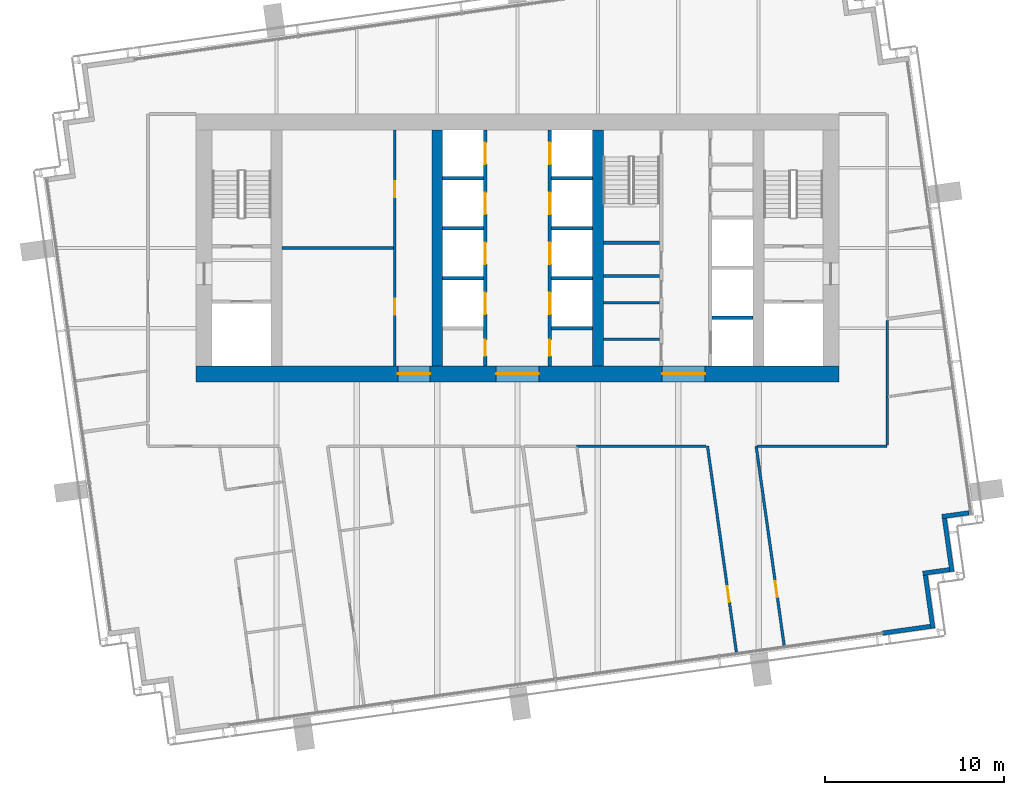
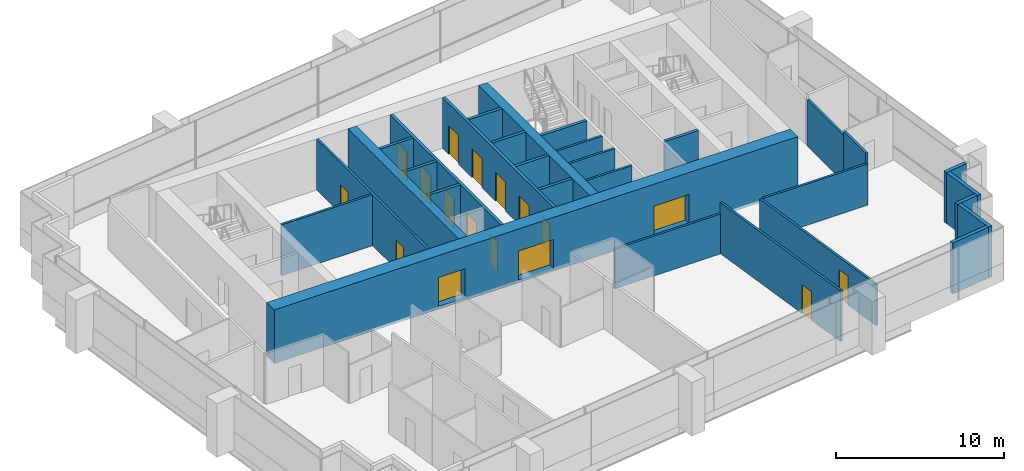
# One storey, part 9 of 15: 30 walls, 17 doors, 17 openings.
"""IFC4 building model written with IfcOpenShell, lengths in metres."""

from ifc_helpers import new_model, si_unit, direction, frame, frame_2d, origin, place, context, subcontext, project, spatial, rectangle, extrude, material, layer, layer_set, type_object, element, fill, save


model = new_model("IFC4")

# Units and contexts
model_context = context("Model", 3, precision=1e-05, world=origin(), true_north=direction((0.0, 1.0)))
body_context = subcontext(model_context, "Body", "Model", "MODEL_VIEW")
ifc_project = project(units=[si_unit("LENGTHUNIT", "METRE"), si_unit("AREAUNIT", "SQUARE_METRE"), si_unit("VOLUMEUNIT", "CUBIC_METRE"), si_unit("PLANEANGLEUNIT", "RADIAN"), si_unit("MASSUNIT", "GRAM", prefix="KILO")], contexts=[model_context])

# Site, building, storey
site_placement = place(None, origin())
site = spatial("IfcSite", under=ifc_project, at=site_placement, CompositionType="ELEMENT")
building_placement = place(site_placement, origin())
building = spatial("IfcBuilding", under=site, at=building_placement, Name="Rattan Terrace Tower", CompositionType="ELEMENT")
storey_placement = place(building_placement, frame((0.0, 0.0, 274.60009765625)))
storey = spatial("IfcBuildingStorey", under=building, at=storey_placement, Name="L63", CompositionType="ELEMENT", Elevation=274.60009765625)

# Wall, openings, doors
ifc_material_1 = material(Name="Gypsum board partition")
ifc_layer_1 = layer(ifc_material_1, 0.14990234375)
ifc_layer_set_1 = layer_set([ifc_layer_1], Name="Core partition 150")
wall_type_1 = type_object("IfcWallType", Name="Core partition 150", PredefinedType="PARTITIONING", material=ifc_layer_set_1)
wall_1_placement = place(storey_placement, frame((-6.875, -6.60009765625, 0.0), z_axis=(0.0, 0.0, 1.0), x_axis=(0.0, 1.0, 0.0)))
wall_1 = element("IfcWall", 1, at=wall_1_placement, inside=storey, type_object=wall_type_1, Name="Core room wall", PredefinedType="PARTITIONING", context=body_context, shape_type="SweptSolid", body=[
    extrude(rectangle(XDim=13.2001953125, YDim=0.14990234375, at=frame_2d((6.60009765625, 0.0))), origin(), (0.0, 0.0, 1.0), 3.699951171875),
])
opening_1_placement = place(wall_1_placement, frame((2.85009765625, 0.0, 0.0)))
opening_1 = element("IfcOpeningElement", 2, at=opening_1_placement, cuts=wall_1, Name="Opening L63-D005", PredefinedType="OPENING", context=body_context, shape_type="SweptSolid", body=[
    extrude(rectangle(XDim=0.89990234375, YDim=2.10009765625, at=frame_2d((0.449951171875, 1.050048828125))), frame((0.0, 0.08544921875, 0.0), z_axis=(0.0, -1.0, 0.0), x_axis=(1.0, 0.0, 0.0)), (0.0, 0.0, 1.0), 0.1708984375),
])
opening_2_placement = place(wall_1_placement, frame((9.449951171875, 0.0, 0.0)))
opening_2 = element("IfcOpeningElement", 3, at=opening_2_placement, cuts=wall_1, Name="Opening L63-D006", PredefinedType="OPENING", context=body_context, shape_type="SweptSolid", body=[
    extrude(rectangle(XDim=0.89990234375, YDim=2.10009765625, at=frame_2d((0.449951171875, 1.050048828125))), frame((0.0, 0.08544921875, 0.0), z_axis=(0.0, -1.0, 0.0), x_axis=(1.0, 0.0, 0.0)), (0.0, 0.0, 1.0), 0.1708984375),
])
ifc_material_2 = material(Name="Hollow-metal fire door leaf")
door_type_1 = type_object("IfcDoorType", Name="Core service room door 900", OperationType="NOTDEFINED", PredefinedType="DOOR", material=ifc_material_2)
door_1_placement = place(opening_1_placement, origin())
door_1 = element("IfcDoor", 4, at=door_1_placement, inside=storey, type_object=door_type_1, Name="Door L63-D005", OperationType="SINGLE_SWING_LEFT", OverallHeight=2.10009765625, OverallWidth=0.89990234375, PredefinedType="DOOR", context=body_context, shape_type="SweptSolid", body=[
    extrude(rectangle(XDim=0.89990234375, YDim=2.10009765625, at=frame_2d((0.449951171875, 1.050048828125))), frame((0.0, 0.02490234375, 0.0), z_axis=(0.0, -1.0, 0.0), x_axis=(1.0, 0.0, 0.0)), (0.0, 0.0, 1.0), 0.050048828125),
])
fill(opening_1, door_1)
door_2_placement = place(opening_2_placement, origin())
door_2 = element("IfcDoor", 5, at=door_2_placement, inside=storey, type_object=door_type_1, Name="Door L63-D006", OperationType="SINGLE_SWING_RIGHT", OverallHeight=2.10009765625, OverallWidth=0.89990234375, PredefinedType="DOOR", context=body_context, shape_type="SweptSolid", body=[
    extrude(rectangle(XDim=0.89990234375, YDim=2.10009765625, at=frame_2d((0.449951171875, 1.050048828125))), frame((0.0, 0.02490234375, 0.0), z_axis=(0.0, -1.0, 0.0), x_axis=(1.0, 0.0, 0.0)), (0.0, 0.0, 1.0), 0.050048828125),
])
fill(opening_2, door_2)

# Walls
wall_2_placement = place(storey_placement, frame((-13.199951171875, 0.0, 0.0), z_axis=(0.0, 0.0, 1.0), x_axis=(1.0, 0.0, 0.0)))
element("IfcWall", 6, at=wall_2_placement, inside=storey, type_object=wall_type_1, Name="Core room wall", PredefinedType="PARTITIONING", context=body_context, shape_type="SweptSolid", body=[
    extrude(rectangle(XDim=6.25, YDim=0.14990234375, at=frame_2d((3.125, 0.0))), origin(), (0.0, 0.0, 1.0), 3.699951171875),
])
for number, where, z_axis, x_axis, name in (
    (7, (4.800048828125, -5.10400390625, 0.0), (0.0, 0.0, 1.0), (1.0, 0.0, 0.0), "Toilet wall"),
    (8, (4.800048828125, -3.06396484375, 0.0), (0.0, 0.0, 1.0), (1.0, 0.0, 0.0), "Toilet wall"),
    (9, (4.800048828125, -1.568115234375, 0.0), (0.0, 0.0, 1.0), (1.0, 0.0, 0.0), "Toilet wall"),
):
    element("IfcWall", number, at=place(storey_placement, frame(where, z_axis=z_axis, x_axis=x_axis)), inside=storey, type_object=wall_type_1, Name=name, PredefinedType="PARTITIONING", context=body_context, shape_type="SweptSolid", body=[
        extrude(rectangle(XDim=3.14990234375, YDim=0.14990234375, at=frame_2d((1.574951171875, 0.0))), origin(), (0.0, 0.0, 1.0), 3.699951171875),
    ])
ifc_material_3 = material(Name="Gypsum board partition")
ifc_layer_2 = layer(ifc_material_3, 0.199951171875)
ifc_layer_set_2 = layer_set([ifc_layer_2], Name="Core partition 200")
wall_type_2 = type_object("IfcWallType", Name="Core partition 200", PredefinedType="PARTITIONING", material=ifc_layer_set_2)
wall_3_placement = place(storey_placement, frame((4.800048828125, 0.300048828125, 0.0), z_axis=(0.0, 0.0, 1.0), x_axis=(1.0, 0.0, 0.0)))
element("IfcWall", 10, at=wall_3_placement, inside=storey, type_object=wall_type_2, Name="Stair enclosure wall", PredefinedType="PARTITIONING", context=body_context, shape_type="SweptSolid", body=[
    extrude(rectangle(XDim=3.14990234375, YDim=0.199951171875, at=frame_2d((1.574951171875, 0.0))), origin(), (0.0, 0.0, 1.0), 3.699951171875),
])

# Wall, openings, doors
ifc_material_4 = material(Name="Concrete C50/60", Category="concrete")
ifc_layer_3 = layer(ifc_material_4, 0.89990234375)
ifc_layer_set_3 = layer_set([ifc_layer_3], Name="Core ring wall 900 C50/60")
wall_type_3 = type_object("IfcWallType", Name="Core ring wall 900 C50/60", PredefinedType="SHEAR", material=ifc_layer_set_3)
wall_4_placement = place(storey_placement, frame((-18.0, -7.050048828125, -0.2001953125), z_axis=(0.0, 0.0, 1.0), x_axis=(1.0, 0.0, 0.0)))
wall_4 = element("IfcWall", 11, at=wall_4_placement, inside=storey, type_object=wall_type_3, Name="Rear core wall south", PredefinedType="SHEAR", context=body_context, shape_type="SweptSolid", body=[
    extrude(rectangle(XDim=36.0, YDim=0.89990234375, at=frame_2d((18.0, 0.0))), origin(), (0.0, 0.0, 1.0), 3.900146484375),
])
opening_3_placement = place(wall_4_placement, frame((11.300048828125, 0.0, 0.199951171875)))
opening_3 = element("IfcOpeningElement", 12, at=opening_3_placement, cuts=wall_4, Name="Opening L63-D007", PredefinedType="OPENING", context=body_context, shape_type="SweptSolid", body=[
    extrude(rectangle(XDim=1.800048828125, YDim=2.10009765625, at=frame_2d((0.89990234375, 1.050048828125))), frame((0.0, 0.46044921875, 0.0), z_axis=(0.0, -1.0, 0.0), x_axis=(1.0, 0.0, 0.0)), (0.0, 0.0, 1.0), 0.9208984375),
])
opening_4_placement = place(wall_4_placement, frame((16.800048828125, 0.0, 0.199951171875)))
opening_4 = element("IfcOpeningElement", 13, at=opening_4_placement, cuts=wall_4, Name="Opening L63-D010", PredefinedType="OPENING", context=body_context, shape_type="SweptSolid", body=[
    extrude(rectangle(XDim=2.39990234375, YDim=2.10009765625, at=frame_2d((1.199951171875, 1.050048828125))), frame((0.0, 0.46044921875, 0.0), z_axis=(0.0, -1.0, 0.0), x_axis=(1.0, 0.0, 0.0)), (0.0, 0.0, 1.0), 0.9208984375),
])
opening_5_placement = place(wall_4_placement, frame((26.10009765625, 0.0, 0.199951171875)))
opening_5 = element("IfcOpeningElement", 14, at=opening_5_placement, cuts=wall_4, Name="Opening L63-D016", PredefinedType="OPENING", context=body_context, shape_type="SweptSolid", body=[
    extrude(rectangle(XDim=2.39990234375, YDim=2.10009765625, at=frame_2d((1.199951171875, 1.050048828125))), frame((0.0, 0.46044921875, 0.0), z_axis=(0.0, -1.0, 0.0), x_axis=(1.0, 0.0, 0.0)), (0.0, 0.0, 1.0), 0.9208984375),
])
ifc_material_5 = material(Name="Hollow-metal fire door leaf")
door_type_2 = type_object("IfcDoorType", Name="Core lift lobby door 2400", OperationType="NOTDEFINED", PredefinedType="DOOR", material=ifc_material_5)
door_3_placement = place(opening_4_placement, origin())
door_3 = element("IfcDoor", 15, at=door_3_placement, inside=storey, type_object=door_type_2, Name="Door L63-D010", OperationType="DOUBLE_DOOR_DOUBLE_SWING", OverallHeight=2.10009765625, OverallWidth=2.39990234375, PredefinedType="DOOR", context=body_context, shape_type="SweptSolid", body=[
    extrude(rectangle(XDim=2.39990234375, YDim=2.10009765625, at=frame_2d((1.199951171875, 1.050048828125))), frame((0.0, 0.02490234375, 0.0), z_axis=(0.0, -1.0, 0.0), x_axis=(1.0, 0.0, 0.0)), (0.0, 0.0, 1.0), 0.050048828125),
])
fill(opening_4, door_3)
door_4_placement = place(opening_5_placement, origin())
door_4 = element("IfcDoor", 16, at=door_4_placement, inside=storey, type_object=door_type_2, Name="Door L63-D016", OperationType="DOUBLE_DOOR_DOUBLE_SWING", OverallHeight=2.10009765625, OverallWidth=2.39990234375, PredefinedType="DOOR", context=body_context, shape_type="SweptSolid", body=[
    extrude(rectangle(XDim=2.39990234375, YDim=2.10009765625, at=frame_2d((1.199951171875, 1.050048828125))), frame((0.0, 0.02490234375, 0.0), z_axis=(0.0, -1.0, 0.0), x_axis=(1.0, 0.0, 0.0)), (0.0, 0.0, 1.0), 0.050048828125),
])
fill(opening_5, door_4)
ifc_material_6 = material(Name="Hollow-metal fire door leaf")
door_type_3 = type_object("IfcDoorType", Name="Core service room door 1800", OperationType="NOTDEFINED", PredefinedType="DOOR", material=ifc_material_6)
door_5_placement = place(opening_3_placement, origin())
door_5 = element("IfcDoor", 17, at=door_5_placement, inside=storey, type_object=door_type_3, Name="Door L63-D007", OperationType="SINGLE_SWING_LEFT", OverallHeight=2.10009765625, OverallWidth=1.800048828125, PredefinedType="DOOR", context=body_context, shape_type="SweptSolid", body=[
    extrude(rectangle(XDim=1.800048828125, YDim=2.10009765625, at=frame_2d((0.89990234375, 1.050048828125))), frame((0.0, 0.02490234375, 0.0), z_axis=(0.0, -1.0, 0.0), x_axis=(1.0, 0.0, 0.0)), (0.0, 0.0, 1.0), 0.050048828125),
])
fill(opening_3, door_5)

# Walls
ifc_material_7 = material(Name="Concrete C50/60", Category="concrete")
ifc_layer_4 = layer(ifc_material_7, 0.60009765625)
ifc_layer_set_4 = layer_set([ifc_layer_4], Name="Core spine wall 600 C50/60")
wall_type_4 = type_object("IfcWallType", Name="Core spine wall 600 C50/60", PredefinedType="SHEAR", material=ifc_layer_set_4)
for number, where, z_axis, x_axis, name in (
    (18, (-4.5, -6.60009765625, -0.2001953125), (0.0, 0.0, 1.0), (0.0, 1.0, 0.0), "Core spine wall 2"),
    (19, (4.5, -6.60009765625, -0.2001953125), (0.0, 0.0, 1.0), (0.0, 1.0, 0.0), "Core spine wall 3"),
):
    element("IfcWall", number, at=place(storey_placement, frame(where, z_axis=z_axis, x_axis=x_axis)), inside=storey, type_object=wall_type_4, Name=name, PredefinedType="SHEAR", context=body_context, shape_type="SweptSolid", body=[
        extrude(rectangle(XDim=13.2001953125, YDim=0.60009765625, at=frame_2d((6.60009765625, 0.0))), origin(), (0.0, 0.0, 1.0), 3.900146484375),
    ])
ifc_material_8 = material(Name="Insulated aluminium-clad stud wall", Category="aluminium")
ifc_layer_5 = layer(ifc_material_8, 0.25)
ifc_layer_set_5 = layer_set([ifc_layer_5], Name="Facade Riser Wall 250")
wall_type_5 = type_object("IfcWallType", Name="Facade Riser Wall 250", PredefinedType="SOLIDWALL", material=ifc_layer_set_5)
wall_5_placement = place(storey_placement, frame((20.4404296875, -21.571533203125, 0.0), z_axis=(0.0, 0.0, 1.0), x_axis=(0.990293105353, 0.138994839796, 0.0)))
element("IfcWall", 20, at=wall_5_placement, inside=storey, type_object=wall_type_5, Name="Riser wall L63-1", PredefinedType="SOLIDWALL", context=body_context, shape_type="SweptSolid", body=[
    extrude(rectangle(XDim=2.705078125, YDim=0.25, at=frame_2d((1.3525390625, 0.0))), origin(), (0.0, 0.0, 1.0), 3.699951171875),
])
wall_6_placement = place(storey_placement, frame((23.260498046875, -21.302001953125, 0.0), z_axis=(0.0, 0.0, 1.0), x_axis=(-0.138994228812, 0.990293191109, 0.0)))
element("IfcWall", 21, at=wall_6_placement, inside=storey, type_object=wall_type_5, Name="Riser wall L63-2", PredefinedType="SOLIDWALL", context=body_context, shape_type="SweptSolid", body=[
    extrude(rectangle(XDim=3.0, YDim=0.25, at=frame_2d((1.5, 0.0))), origin(), (0.0, 0.0, 1.0), 3.699951171875),
])
wall_7_placement = place(storey_placement, frame((22.7021484375, -18.224853515625, 0.0), z_axis=(0.0, 0.0, 1.0), x_axis=(0.990243596651, 0.13934711799, 0.0)))
element("IfcWall", 22, at=wall_7_placement, inside=storey, type_object=wall_type_5, Name="Riser wall L63-3", PredefinedType="SOLIDWALL", context=body_context, shape_type="SweptSolid", body=[
    extrude(rectangle(XDim=1.499755859375, YDim=0.25, at=frame_2d((0.75, 0.0))), origin(), (0.0, 0.0, 1.0), 3.699951171875),
])
wall_8_placement = place(storey_placement, frame((24.328369140625, -18.1220703125, 0.0), z_axis=(0.0, 0.0, 1.0), x_axis=(-0.139358350296, 0.990242015975, 0.0)))
element("IfcWall", 23, at=wall_8_placement, inside=storey, type_object=wall_type_5, Name="Riser wall L63-4", PredefinedType="SOLIDWALL", context=body_context, shape_type="SweptSolid", body=[
    extrude(rectangle(XDim=2.999267578125, YDim=0.25, at=frame_2d((1.49951171875, 0.0))), origin(), (0.0, 0.0, 1.0), 3.699951171875),
])
wall_9_placement = place(storey_placement, frame((23.769287109375, -15.045654296875, 0.0), z_axis=(0.0, 0.0, 1.0), x_axis=(0.990260716096, 0.139225407725, 0.0)))
element("IfcWall", 24, at=wall_9_placement, inside=storey, type_object=wall_type_5, Name="Riser wall L63-5", PredefinedType="SOLIDWALL", context=body_context, shape_type="SweptSolid", body=[
    extrude(rectangle(XDim=1.525634765625, YDim=0.25, at=frame_2d((0.7626953125, 0.0))), origin(), (0.0, 0.0, 1.0), 3.699951171875),
])

# Wall, opening, door
ifc_material_9 = material(Name="Gypsum board partition on steel studs, fire rated", Category="steel")
ifc_layer_6 = layer(ifc_material_9, 0.14990234375)
ifc_layer_set_6 = layer_set([ifc_layer_6], Name="Floors Tenancy Wall 150")
wall_type_6 = type_object("IfcWallType", Name="Floors Tenancy Wall 150", PredefinedType="PARTITIONING", material=ifc_layer_set_6)
wall_10_placement = place(storey_placement, frame((13.363037109375, -11.10009765625, 0.0), z_axis=(0.0, 0.0, 1.0), x_axis=(0.139172815303, -0.990268108888, 0.0)))
wall_10 = element("IfcWall", 25, at=wall_10_placement, inside=storey, type_object=wall_type_6, Name="pt-L63-008", PredefinedType="PARTITIONING", context=body_context, shape_type="SweptSolid", body=[
    extrude(rectangle(XDim=11.265625, YDim=0.14990234375, at=frame_2d((5.6328125, 0.0))), origin(), (0.0, 0.0, 1.0), 3.0),
])
opening_6_placement = place(wall_10_placement, frame((7.64892578125, 0.0, 0.0)))
opening_6 = element("IfcOpeningElement", 26, at=opening_6_placement, cuts=wall_10, Name="Opening L63-D104", PredefinedType="OPENING", context=body_context, shape_type="SweptSolid", body=[
    extrude(rectangle(XDim=0.89990234375, YDim=2.10009765625, at=frame_2d((0.449951171875, 1.050048828125))), frame((0.0, 0.08544921875, 0.0), z_axis=(0.0, -1.0, 0.0), x_axis=(1.0, 0.0, 0.0)), (0.0, 0.0, 1.0), 0.1708984375),
])
ifc_material_10 = material(Name="Steel fire door set", Category="steel")
door_type_4 = type_object("IfcDoorType", Name="Floors Fire Door FD30S 900x2100", OperationType="NOTDEFINED", PredefinedType="DOOR", material=ifc_material_10)
door_6_placement = place(opening_6_placement, origin())
door_6 = element("IfcDoor", 27, at=door_6_placement, inside=storey, type_object=door_type_4, Name="d-L63-104", OperationType="SINGLE_SWING_RIGHT", OverallHeight=2.10009765625, OverallWidth=0.89990234375, PredefinedType="DOOR", context=body_context, shape_type="SweptSolid", body=[
    extrude(rectangle(XDim=0.89990234375, YDim=2.10009765625, at=frame_2d((0.449951171875, 1.050048828125))), frame((0.0, 0.02490234375, 0.0), z_axis=(0.0, -1.0, 0.0), x_axis=(1.0, 0.0, 0.0)), (0.0, 0.0, 1.0), 0.050048828125),
])
fill(opening_6, door_6)

# Walls
wall_11_placement = place(storey_placement, frame((20.699951171875, -11.10009765625, 0.0), z_axis=(0.0, 0.0, 1.0), x_axis=(-1.0, 0.0, 0.0)))
element("IfcWall", 28, at=wall_11_placement, inside=storey, type_object=wall_type_6, Name="pt-L63-009", PredefinedType="PARTITIONING", context=body_context, shape_type="SweptSolid", body=[
    extrude(rectangle(XDim=7.2509765625, YDim=0.14990234375, at=frame_2d((3.62548828125, 0.0))), origin(), (0.0, 0.0, 1.0), 3.0),
])
wall_12_placement = place(storey_placement, frame((20.700927734375, -8.35791015625, 0.0), z_axis=(0.0, 0.0, 1.0), x_axis=(0.0, -1.0, 0.0)))
element("IfcWall", 29, at=wall_12_placement, inside=storey, type_object=wall_type_6, Name="pt-L63-010", PredefinedType="PARTITIONING", context=body_context, shape_type="SweptSolid", body=[
    extrude(rectangle(XDim=2.6669921875, YDim=0.14990234375, at=frame_2d((1.33349609375, 0.0))), origin(), (0.0, 0.0, 1.0), 3.699951171875),
])
wall_13_placement = place(storey_placement, frame((20.699951171875, -4.068115234375, 0.0), z_axis=(0.0, 0.0, 1.0), x_axis=(0.0, -1.0, 0.0)))
element("IfcWall", 30, at=wall_13_placement, inside=storey, type_object=wall_type_6, Name="pt-L63-011", PredefinedType="PARTITIONING", context=body_context, shape_type="SweptSolid", body=[
    extrude(rectangle(XDim=4.289794921875, YDim=0.14990234375, at=frame_2d((2.14501953125, 0.0))), origin(), (0.0, 0.0, 1.0), 3.39990234375),
])
wall_14_placement = place(storey_placement, frame((10.56298828125, -11.10009765625, 0.0), z_axis=(0.0, 0.0, 1.0), x_axis=(-1.0, 0.0, 0.0)))
element("IfcWall", 31, at=wall_14_placement, inside=storey, type_object=wall_type_6, Name="pt-L63-023", PredefinedType="PARTITIONING", context=body_context, shape_type="SweptSolid", body=[
    extrude(rectangle(XDim=7.26708984375, YDim=0.14990234375, at=frame_2d((3.633544921875, 0.0))), origin(), (0.0, 0.0, 1.0), 2.89990234375),
])

# Wall, opening, door
wall_15_placement = place(storey_placement, frame((12.257080078125, -22.631103515625, 0.0), z_axis=(0.0, 0.0, 1.0), x_axis=(-0.139134361512, 0.990273512443, 0.0)))
wall_15 = element("IfcWall", 32, at=wall_15_placement, inside=storey, type_object=wall_type_6, Name="pt-L63-024", PredefinedType="PARTITIONING", context=body_context, shape_type="SweptSolid", body=[
    extrude(rectangle(XDim=11.644287109375, YDim=0.14990234375, at=frame_2d((5.822265625, 0.0))), origin(), (0.0, 0.0, 1.0), 3.699951171875),
])
opening_7_placement = place(wall_15_placement, frame((2.81103515625, 0.0, 0.0)))
opening_7 = element("IfcOpeningElement", 33, at=opening_7_placement, cuts=wall_15, Name="Opening L63-D112", PredefinedType="OPENING", context=body_context, shape_type="SweptSolid", body=[
    extrude(rectangle(XDim=0.89990234375, YDim=2.10009765625, at=frame_2d((0.449951171875, 1.050048828125))), frame((0.0, 0.08544921875, 0.0), z_axis=(0.0, -1.0, 0.0), x_axis=(1.0, 0.0, 0.0)), (0.0, 0.0, 1.0), 0.1708984375),
])
door_7_placement = place(opening_7_placement, origin())
door_7 = element("IfcDoor", 34, at=door_7_placement, inside=storey, type_object=door_type_4, Name="d-L63-112", OperationType="SINGLE_SWING_LEFT", OverallHeight=2.10009765625, OverallWidth=0.89990234375, PredefinedType="DOOR", context=body_context, shape_type="SweptSolid", body=[
    extrude(rectangle(XDim=0.89990234375, YDim=2.10009765625, at=frame_2d((0.449951171875, 1.050048828125))), frame((0.0, 0.02490234375, 0.0), z_axis=(0.0, -1.0, 0.0), x_axis=(1.0, 0.0, 0.0)), (0.0, 0.0, 1.0), 0.050048828125),
])
fill(opening_7, door_7)

# Wall, openings, doors
ifc_material_11 = material(Name="Gypsum shaft wall system")
ifc_layer_7 = layer(ifc_material_11, 0.199951171875)
ifc_layer_set_7 = layer_set([ifc_layer_7], Name="Lift shaft wall 200")
wall_type_7 = type_object("IfcWallType", Name="Lift shaft wall 200", PredefinedType="PARTITIONING", material=ifc_layer_set_7)
wall_16_placement = place(storey_placement, frame((-1.800048828125, -6.60009765625, 0.0), z_axis=(0.0, 0.0, 1.0), x_axis=(0.0, 1.0, 0.0)))
wall_16 = element("IfcWall", 35, at=wall_16_placement, inside=storey, type_object=wall_type_7, Name="Lift shaft front wall", PredefinedType="PARTITIONING", context=body_context, shape_type="SweptSolid", body=[
    extrude(rectangle(XDim=13.2001953125, YDim=0.199951171875, at=frame_2d((6.60009765625, 0.0))), origin(), (0.0, 0.0, 1.0), 3.699951171875),
])
opening_8_placement = place(wall_16_placement, frame((0.550048828125, 0.0, 0.0)))
opening_8 = element("IfcOpeningElement", 36, at=opening_8_placement, cuts=wall_16, Name="Opening L63-D008", PredefinedType="OPENING", context=body_context, shape_type="SweptSolid", body=[
    extrude(rectangle(XDim=0.89990234375, YDim=2.10009765625, at=frame_2d((0.449951171875, 1.050048828125))), frame((0.0, 0.110595703125, 0.0), z_axis=(0.0, -1.0, 0.0), x_axis=(1.0, 0.0, 0.0)), (0.0, 0.0, 1.0), 0.220947265625),
])
opening_9_placement = place(wall_16_placement, frame((2.89990234375, 0.0, 0.0)))
opening_9 = element("IfcOpeningElement", 37, at=opening_9_placement, cuts=wall_16, Name="Opening L63-LD-HR1", PredefinedType="OPENING", context=body_context, shape_type="SweptSolid", body=[
    extrude(rectangle(XDim=1.199951171875, YDim=2.10009765625, at=frame_2d((0.60009765625, 1.050048828125))), frame((0.0, 0.110595703125, 0.0), z_axis=(0.0, -1.0, 0.0), x_axis=(1.0, 0.0, 0.0)), (0.0, 0.0, 1.0), 0.220947265625),
])
opening_10_placement = place(wall_16_placement, frame((5.699951171875, 0.0, 0.0)))
opening_10 = element("IfcOpeningElement", 38, at=opening_10_placement, cuts=wall_16, Name="Opening L63-LD-HR2", PredefinedType="OPENING", context=body_context, shape_type="SweptSolid", body=[
    extrude(rectangle(XDim=1.199951171875, YDim=2.10009765625, at=frame_2d((0.60009765625, 1.050048828125))), frame((0.0, 0.110595703125, 0.0), z_axis=(0.0, -1.0, 0.0), x_axis=(1.0, 0.0, 0.0)), (0.0, 0.0, 1.0), 0.220947265625),
])
opening_11_placement = place(wall_16_placement, frame((8.5, 0.0, 0.0)))
opening_11 = element("IfcOpeningElement", 39, at=opening_11_placement, cuts=wall_16, Name="Opening L63-LD-HR3", PredefinedType="OPENING", context=body_context, shape_type="SweptSolid", body=[
    extrude(rectangle(XDim=1.199951171875, YDim=2.10009765625, at=frame_2d((0.60009765625, 1.050048828125))), frame((0.0, 0.110595703125, 0.0), z_axis=(0.0, -1.0, 0.0), x_axis=(1.0, 0.0, 0.0)), (0.0, 0.0, 1.0), 0.220947265625),
])
opening_12_placement = place(wall_16_placement, frame((11.300048828125, 0.0, 0.0)))
opening_12 = element("IfcOpeningElement", 40, at=opening_12_placement, cuts=wall_16, Name="Opening L63-LD-HR4", PredefinedType="OPENING", context=body_context, shape_type="SweptSolid", body=[
    extrude(rectangle(XDim=1.199951171875, YDim=2.10009765625, at=frame_2d((0.60009765625, 1.050048828125))), frame((0.0, 0.110595703125, 0.0), z_axis=(0.0, -1.0, 0.0), x_axis=(1.0, 0.0, 0.0)), (0.0, 0.0, 1.0), 0.220947265625),
])
ifc_material_12 = material(Name="Brushed stainless landing door panel")
door_type_5 = type_object("IfcDoorType", Name="Core lift landing door 1200", OperationType="DOUBLE_DOOR_SLIDING", PredefinedType="DOOR", material=ifc_material_12)
door_8_placement = place(opening_9_placement, origin())
door_8 = element("IfcDoor", 41, at=door_8_placement, inside=storey, type_object=door_type_5, Name="Door L63-LD-HR1", OperationType="DOUBLE_DOOR_SLIDING", OverallHeight=2.10009765625, OverallWidth=1.199951171875, PredefinedType="DOOR", context=body_context, shape_type="SweptSolid", body=[
    extrude(rectangle(XDim=1.199951171875, YDim=2.10009765625, at=frame_2d((0.60009765625, 1.050048828125))), frame((0.0, 0.02490234375, 0.0), z_axis=(0.0, -1.0, 0.0), x_axis=(1.0, 0.0, 0.0)), (0.0, 0.0, 1.0), 0.050048828125),
])
fill(opening_9, door_8)
door_9_placement = place(opening_10_placement, origin())
door_9 = element("IfcDoor", 42, at=door_9_placement, inside=storey, type_object=door_type_5, Name="Door L63-LD-HR2", OperationType="DOUBLE_DOOR_SLIDING", OverallHeight=2.10009765625, OverallWidth=1.199951171875, PredefinedType="DOOR", context=body_context, shape_type="SweptSolid", body=[
    extrude(rectangle(XDim=1.199951171875, YDim=2.10009765625, at=frame_2d((0.60009765625, 1.050048828125))), frame((0.0, 0.02490234375, 0.0), z_axis=(0.0, -1.0, 0.0), x_axis=(1.0, 0.0, 0.0)), (0.0, 0.0, 1.0), 0.050048828125),
])
fill(opening_10, door_9)
door_10_placement = place(opening_11_placement, origin())
door_10 = element("IfcDoor", 43, at=door_10_placement, inside=storey, type_object=door_type_5, Name="Door L63-LD-HR3", OperationType="DOUBLE_DOOR_SLIDING", OverallHeight=2.10009765625, OverallWidth=1.199951171875, PredefinedType="DOOR", context=body_context, shape_type="SweptSolid", body=[
    extrude(rectangle(XDim=1.199951171875, YDim=2.10009765625, at=frame_2d((0.60009765625, 1.050048828125))), frame((0.0, 0.02490234375, 0.0), z_axis=(0.0, -1.0, 0.0), x_axis=(1.0, 0.0, 0.0)), (0.0, 0.0, 1.0), 0.050048828125),
])
fill(opening_11, door_10)
door_11_placement = place(opening_12_placement, origin())
door_11 = element("IfcDoor", 44, at=door_11_placement, inside=storey, type_object=door_type_5, Name="Door L63-LD-HR4", OperationType="DOUBLE_DOOR_SLIDING", OverallHeight=2.10009765625, OverallWidth=1.199951171875, PredefinedType="DOOR", context=body_context, shape_type="SweptSolid", body=[
    extrude(rectangle(XDim=1.199951171875, YDim=2.10009765625, at=frame_2d((0.60009765625, 1.050048828125))), frame((0.0, 0.02490234375, 0.0), z_axis=(0.0, -1.0, 0.0), x_axis=(1.0, 0.0, 0.0)), (0.0, 0.0, 1.0), 0.050048828125),
])
fill(opening_12, door_11)
ifc_material_13 = material(Name="Hollow-metal fire door leaf")
door_type_6 = type_object("IfcDoorType", Name="Core riser door 900", OperationType="NOTDEFINED", PredefinedType="DOOR", material=ifc_material_13)
door_12_placement = place(opening_8_placement, origin())
door_12 = element("IfcDoor", 45, at=door_12_placement, inside=storey, type_object=door_type_6, Name="Door L63-D008", OperationType="SINGLE_SWING_RIGHT", OverallHeight=2.10009765625, OverallWidth=0.89990234375, PredefinedType="DOOR", context=body_context, shape_type="SweptSolid", body=[
    extrude(rectangle(XDim=0.89990234375, YDim=2.10009765625, at=frame_2d((0.449951171875, 1.050048828125))), frame((0.0, 0.02490234375, 0.0), z_axis=(0.0, -1.0, 0.0), x_axis=(1.0, 0.0, 0.0)), (0.0, 0.0, 1.0), 0.050048828125),
])
fill(opening_8, door_12)

wall_17_placement = place(storey_placement, frame((1.800048828125, -6.60009765625, 0.0), z_axis=(0.0, 0.0, 1.0), x_axis=(0.0, 1.0, 0.0)))
wall_17 = element("IfcWall", 46, at=wall_17_placement, inside=storey, type_object=wall_type_7, Name="Lift shaft front wall", PredefinedType="PARTITIONING", context=body_context, shape_type="SweptSolid", body=[
    extrude(rectangle(XDim=13.2001953125, YDim=0.199951171875, at=frame_2d((6.60009765625, 0.0))), origin(), (0.0, 0.0, 1.0), 3.699951171875),
])
opening_13_placement = place(wall_17_placement, frame((0.550048828125, 0.0, 0.0)))
opening_13 = element("IfcOpeningElement", 47, at=opening_13_placement, cuts=wall_17, Name="Opening L63-D009", PredefinedType="OPENING", context=body_context, shape_type="SweptSolid", body=[
    extrude(rectangle(XDim=0.89990234375, YDim=2.10009765625, at=frame_2d((0.449951171875, 1.050048828125))), frame((0.0, 0.110595703125, 0.0), z_axis=(0.0, -1.0, 0.0), x_axis=(1.0, 0.0, 0.0)), (0.0, 0.0, 1.0), 0.220947265625),
])
opening_14_placement = place(wall_17_placement, frame((2.89990234375, 0.0, 0.0)))
opening_14 = element("IfcOpeningElement", 48, at=opening_14_placement, cuts=wall_17, Name="Opening L63-LD-HR5", PredefinedType="OPENING", context=body_context, shape_type="SweptSolid", body=[
    extrude(rectangle(XDim=1.199951171875, YDim=2.10009765625, at=frame_2d((0.60009765625, 1.050048828125))), frame((0.0, 0.110595703125, 0.0), z_axis=(0.0, -1.0, 0.0), x_axis=(1.0, 0.0, 0.0)), (0.0, 0.0, 1.0), 0.220947265625),
])
opening_15_placement = place(wall_17_placement, frame((5.699951171875, 0.0, 0.0)))
opening_15 = element("IfcOpeningElement", 49, at=opening_15_placement, cuts=wall_17, Name="Opening L63-LD-HR6", PredefinedType="OPENING", context=body_context, shape_type="SweptSolid", body=[
    extrude(rectangle(XDim=1.199951171875, YDim=2.10009765625, at=frame_2d((0.60009765625, 1.050048828125))), frame((0.0, 0.110595703125, 0.0), z_axis=(0.0, -1.0, 0.0), x_axis=(1.0, 0.0, 0.0)), (0.0, 0.0, 1.0), 0.220947265625),
])
opening_16_placement = place(wall_17_placement, frame((8.5, 0.0, 0.0)))
opening_16 = element("IfcOpeningElement", 50, at=opening_16_placement, cuts=wall_17, Name="Opening L63-LD-HR7", PredefinedType="OPENING", context=body_context, shape_type="SweptSolid", body=[
    extrude(rectangle(XDim=1.199951171875, YDim=2.10009765625, at=frame_2d((0.60009765625, 1.050048828125))), frame((0.0, 0.110595703125, 0.0), z_axis=(0.0, -1.0, 0.0), x_axis=(1.0, 0.0, 0.0)), (0.0, 0.0, 1.0), 0.220947265625),
])
opening_17_placement = place(wall_17_placement, frame((11.300048828125, 0.0, 0.0)))
opening_17 = element("IfcOpeningElement", 51, at=opening_17_placement, cuts=wall_17, Name="Opening L63-LD-HR8", PredefinedType="OPENING", context=body_context, shape_type="SweptSolid", body=[
    extrude(rectangle(XDim=1.199951171875, YDim=2.10009765625, at=frame_2d((0.60009765625, 1.050048828125))), frame((0.0, 0.110595703125, 0.0), z_axis=(0.0, -1.0, 0.0), x_axis=(1.0, 0.0, 0.0)), (0.0, 0.0, 1.0), 0.220947265625),
])
door_13_placement = place(opening_14_placement, origin())
door_13 = element("IfcDoor", 52, at=door_13_placement, inside=storey, type_object=door_type_5, Name="Door L63-LD-HR5", OperationType="DOUBLE_DOOR_SLIDING", OverallHeight=2.10009765625, OverallWidth=1.199951171875, PredefinedType="DOOR", context=body_context, shape_type="SweptSolid", body=[
    extrude(rectangle(XDim=1.199951171875, YDim=2.10009765625, at=frame_2d((0.60009765625, 1.050048828125))), frame((0.0, 0.02490234375, 0.0), z_axis=(0.0, -1.0, 0.0), x_axis=(1.0, 0.0, 0.0)), (0.0, 0.0, 1.0), 0.050048828125),
])
fill(opening_14, door_13)
door_14_placement = place(opening_15_placement, origin())
door_14 = element("IfcDoor", 53, at=door_14_placement, inside=storey, type_object=door_type_5, Name="Door L63-LD-HR6", OperationType="DOUBLE_DOOR_SLIDING", OverallHeight=2.10009765625, OverallWidth=1.199951171875, PredefinedType="DOOR", context=body_context, shape_type="SweptSolid", body=[
    extrude(rectangle(XDim=1.199951171875, YDim=2.10009765625, at=frame_2d((0.60009765625, 1.050048828125))), frame((0.0, 0.02490234375, 0.0), z_axis=(0.0, -1.0, 0.0), x_axis=(1.0, 0.0, 0.0)), (0.0, 0.0, 1.0), 0.050048828125),
])
fill(opening_15, door_14)
door_15_placement = place(opening_16_placement, origin())
door_15 = element("IfcDoor", 54, at=door_15_placement, inside=storey, type_object=door_type_5, Name="Door L63-LD-HR7", OperationType="DOUBLE_DOOR_SLIDING", OverallHeight=2.10009765625, OverallWidth=1.199951171875, PredefinedType="DOOR", context=body_context, shape_type="SweptSolid", body=[
    extrude(rectangle(XDim=1.199951171875, YDim=2.10009765625, at=frame_2d((0.60009765625, 1.050048828125))), frame((0.0, 0.02490234375, 0.0), z_axis=(0.0, -1.0, 0.0), x_axis=(1.0, 0.0, 0.0)), (0.0, 0.0, 1.0), 0.050048828125),
])
fill(opening_16, door_15)
door_16_placement = place(opening_17_placement, origin())
door_16 = element("IfcDoor", 55, at=door_16_placement, inside=storey, type_object=door_type_5, Name="Door L63-LD-HR8", OperationType="DOUBLE_DOOR_SLIDING", OverallHeight=2.10009765625, OverallWidth=1.199951171875, PredefinedType="DOOR", context=body_context, shape_type="SweptSolid", body=[
    extrude(rectangle(XDim=1.199951171875, YDim=2.10009765625, at=frame_2d((0.60009765625, 1.050048828125))), frame((0.0, 0.02490234375, 0.0), z_axis=(0.0, -1.0, 0.0), x_axis=(1.0, 0.0, 0.0)), (0.0, 0.0, 1.0), 0.050048828125),
])
fill(opening_17, door_16)
door_17_placement = place(opening_13_placement, origin())
door_17 = element("IfcDoor", 56, at=door_17_placement, inside=storey, type_object=door_type_6, Name="Door L63-D009", OperationType="SINGLE_SWING_LEFT", OverallHeight=2.10009765625, OverallWidth=0.89990234375, PredefinedType="DOOR", context=body_context, shape_type="SweptSolid", body=[
    extrude(rectangle(XDim=0.89990234375, YDim=2.10009765625, at=frame_2d((0.449951171875, 1.050048828125))), frame((0.0, 0.02490234375, 0.0), z_axis=(0.0, -1.0, 0.0), x_axis=(1.0, 0.0, 0.0)), (0.0, 0.0, 1.0), 0.050048828125),
])
fill(opening_13, door_17)

# Walls
for number, where, z_axis, x_axis, name in (
    (57, (-4.199951171875, -1.699951171875, 0.0), (0.0, 0.0, 1.0), (1.0, 0.0, 0.0), "Lift shaft wall"),
    (58, (-4.199951171875, 1.10009765625, 0.0), (0.0, 0.0, 1.0), (1.0, 0.0, 0.0), "Lift shaft wall"),
    (59, (-4.199951171875, 3.89990234375, 0.0), (0.0, 0.0, 1.0), (1.0, 0.0, 0.0), "Lift shaft wall"),
    (60, (1.89990234375, -1.699951171875, 0.0), (0.0, 0.0, 1.0), (1.0, 0.0, 0.0), "Lift shaft wall"),
    (61, (1.89990234375, 1.10009765625, 0.0), (0.0, 0.0, 1.0), (1.0, 0.0, 0.0), "Lift shaft wall"),
    (62, (1.89990234375, 3.89990234375, 0.0), (0.0, 0.0, 1.0), (1.0, 0.0, 0.0), "Lift shaft wall"),
    (63, (1.89990234375, -4.5, 0.0), (0.0, 0.0, 1.0), (1.0, 0.0, 0.0), "Lift shaft wall"),
    (64, (10.89990234375, -3.89990234375, 0.0), (0.0, 0.0, 1.0), (1.0, 0.0, 0.0), "Lift shaft wall"),
):
    element("IfcWall", number, at=place(storey_placement, frame(where, z_axis=z_axis, x_axis=x_axis)), inside=storey, type_object=wall_type_7, Name=name, PredefinedType="PARTITIONING", context=body_context, shape_type="SweptSolid", body=[
        extrude(rectangle(XDim=2.300048828125, YDim=0.199951171875, at=frame_2d((1.14990234375, 0.0))), origin(), (0.0, 0.0, 1.0), 3.699951171875),
    ])

save(model, "model.ifc")
